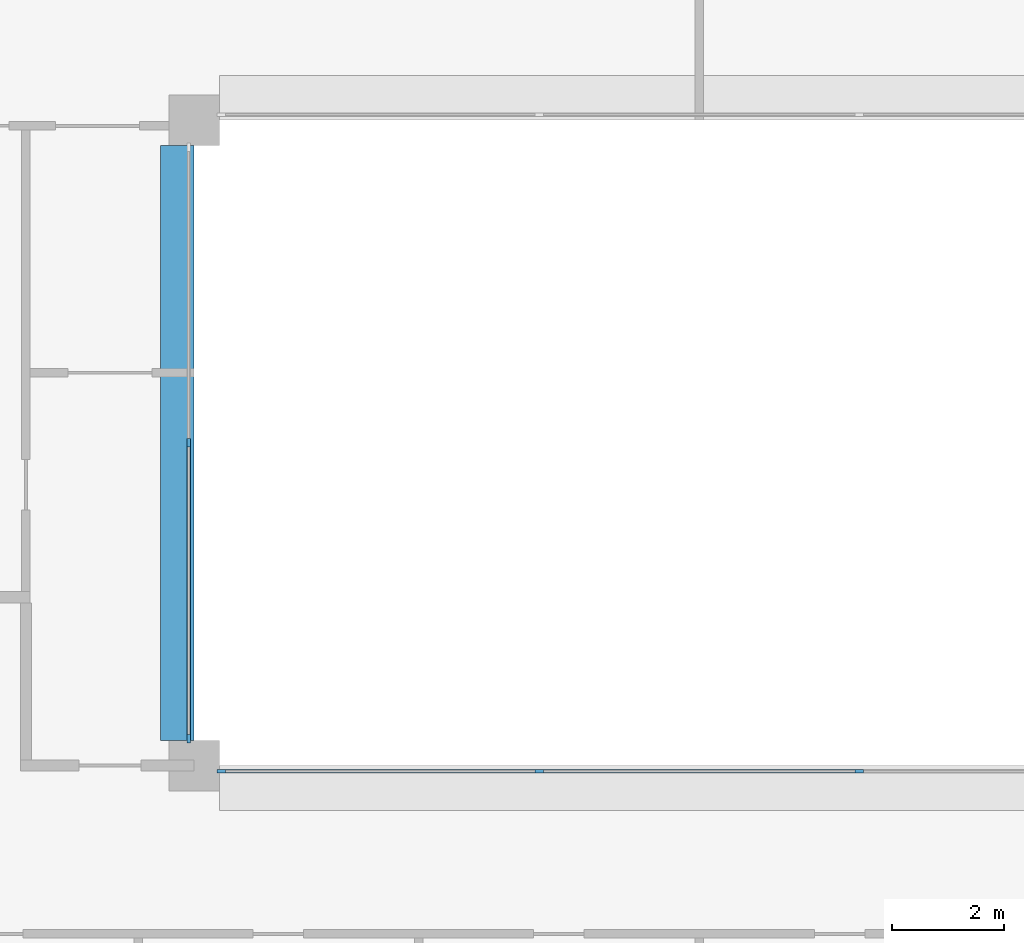
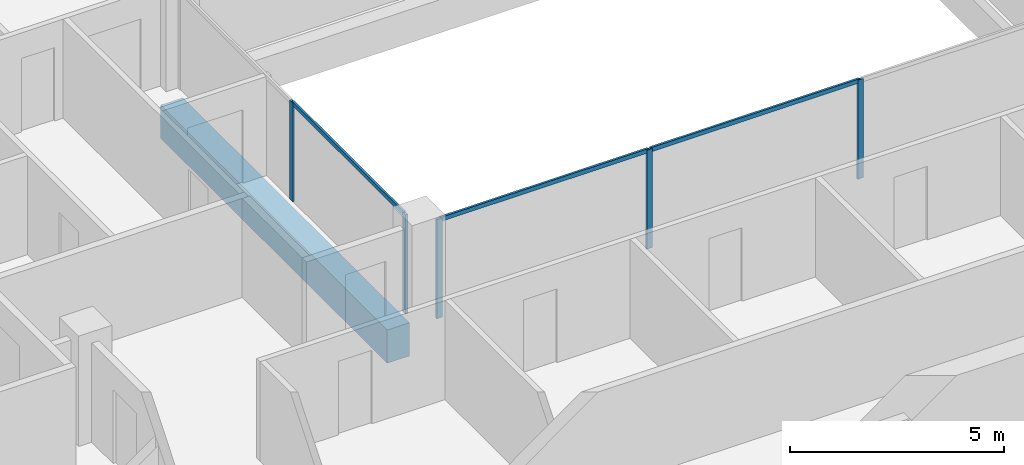
# One storey, part 2 of 15: 8 members, 1 beam, 2 elements without a shape of their own.
"""IFC4 building model written with IfcOpenShell, lengths in metres."""

from ifc_helpers import new_model, si_unit, direction, frame, origin, origin_2d, place, context, subcontext, project, spatial, rectangle, extrude, material, layer, layer_set, material_profile, profile_set, type_object, element, aggregate, save


model = new_model("IFC4")

# Units and contexts
model_context = context("Model", 3, precision=1e-05, world=origin(), true_north=direction((0.0, 1.0)))
body_context = subcontext(model_context, "Body", "Model", "MODEL_VIEW")
ifc_project = project(units=[si_unit("LENGTHUNIT", "METRE"), si_unit("AREAUNIT", "SQUARE_METRE"), si_unit("VOLUMEUNIT", "CUBIC_METRE"), si_unit("PLANEANGLEUNIT", "RADIAN"), si_unit("MASSUNIT", "GRAM", prefix="KILO")], contexts=[model_context])

# Site, building, storey
site_placement = place(None, origin())
site = spatial("IfcSite", under=ifc_project, at=site_placement, CompositionType="ELEMENT")
building_placement = place(site_placement, origin())
building = spatial("IfcBuilding", under=site, at=building_placement, Name="Brigalow Station Residences", CompositionType="ELEMENT")
storey_placement = place(building_placement, frame((0.0, 0.0, 213.75)))
storey = spatial("IfcBuildingStorey", under=building, at=storey_placement, Name="L61", CompositionType="ELEMENT", Elevation=213.75)

# Beam
ifc_material_1 = material(Name="Concrete C65", Category="concrete")
ifc_material_profile_1 = material_profile(ifc_material_1, rectangle(XDim=0.60009765625, YDim=0.949951171875, at=origin_2d()), Name="RC600x950")
ifc_profile_set_1 = profile_set([ifc_material_profile_1], Name="Concrete C65")
beam_type = type_object("IfcBeamType", Name="ATRIUM EDGE GIRDER 600x950 C65", PredefinedType="BEAM", material=ifc_profile_set_1)
beam_placement = place(storey_placement, frame((26.699951171875, 24.449951171875, -0.794921875), z_axis=(0.0, 1.0, 0.0), x_axis=(-1.0, 0.0, 0.0)))
element("IfcBeam", 1, at=beam_placement, inside=storey, type_object=beam_type, Name="ATRIUM EDGE GIRDER 3 L61", PredefinedType="BEAM", context=body_context, shape_type="SweptSolid", body=[
    extrude(rectangle(XDim=0.60009765625, YDim=0.949951171875, at=origin_2d()), origin(), (0.0, 0.0, 1.0), 10.60009765625),
])

# Curtain wall, members
ifc_material_2 = material(Name="Aluminium", Category="aluminium")
ifc_layer = layer(ifc_material_2, 0.14990234375)
ifc_layer_set = layer_set([ifc_layer], Name="ATRIUM FIRE-RATED GLAZING CURTAIN WALL")
curtain_wall_type = type_object("IfcCurtainWallType", Name="ATRIUM FIRE-RATED GLAZING CURTAIN WALL", PredefinedType="NOTDEFINED", material=ifc_layer_set)
curtain_wall_1_placement = place(storey_placement, origin())
curtain_wall_1 = element("IfcCurtainWall", 2, at=curtain_wall_1_placement, inside=storey, type_object=curtain_wall_type, Name="L61/cw/atrium-S", PredefinedType="NOTDEFINED")
ifc_material_3 = material(Name="Aluminium", Category="aluminium")
ifc_material_profile_2 = material_profile(ifc_material_3, rectangle(XDim=0.06005859375, YDim=0.14990234375, at=origin_2d()), Name="ATRIUM FIRE-RATED GLAZING MULLION 60x150")
ifc_profile_set_2 = profile_set([ifc_material_profile_2], Name="Aluminium")
member_type_1 = type_object("IfcMemberType", Name="ATRIUM FIRE-RATED GLAZING MULLION 60x150", PredefinedType="MULLION", material=ifc_profile_set_2)
member_1_placement = place(storey_placement, frame((27.47998046875, 23.89990234375, 0.0), z_axis=(0.0, 0.0, 1.0), x_axis=(0.0, 1.0, 0.0)))
member_1 = element("IfcMember", 3, at=member_1_placement, type_object=member_type_1, Name="L61/cw/atrium-S/M00", PredefinedType="MULLION", context=body_context, shape_type="SweptSolid", body=[
    extrude(rectangle(XDim=0.06005859375, YDim=0.14990234375, at=origin_2d()), origin(), (0.0, 0.0, 1.0), 2.830078125),
])
member_2_placement = place(storey_placement, frame((33.14990234375, 23.89990234375, 0.0), z_axis=(0.0, 0.0, 1.0), x_axis=(0.0, 1.0, 0.0)))
member_2 = element("IfcMember", 4, at=member_2_placement, type_object=member_type_1, Name="L61/cw/atrium-S/M01", PredefinedType="MULLION", context=body_context, shape_type="SweptSolid", body=[
    extrude(rectangle(XDim=0.06005859375, YDim=0.14990234375, at=origin_2d()), origin(), (0.0, 0.0, 1.0), 2.830078125),
])
member_3_placement = place(storey_placement, frame((38.85009765625, 23.89990234375, 0.0), z_axis=(0.0, 0.0, 1.0), x_axis=(0.0, 1.0, 0.0)))
member_3 = element("IfcMember", 5, at=member_3_placement, type_object=member_type_1, Name="L61/cw/atrium-S/M02", PredefinedType="MULLION", context=body_context, shape_type="SweptSolid", body=[
    extrude(rectangle(XDim=0.06005859375, YDim=0.14990234375, at=origin_2d()), origin(), (0.0, 0.0, 1.0), 2.830078125),
])

curtain_wall_2_placement = place(storey_placement, origin())
curtain_wall_2 = element("IfcCurtainWall", 6, at=curtain_wall_2_placement, inside=storey, type_object=curtain_wall_type, Name="L61/cw/atrium-W", PredefinedType="NOTDEFINED")
member_4_placement = place(storey_placement, frame((26.89990234375, 29.75, 0.0), z_axis=(0.0, 0.0, 1.0), x_axis=(1.0, 0.0, 0.0)))
member_4 = element("IfcMember", 7, at=member_4_placement, type_object=member_type_1, Name="L61/cw/atrium-W/M01", PredefinedType="MULLION", context=body_context, shape_type="SweptSolid", body=[
    extrude(rectangle(XDim=0.06005859375, YDim=0.14990234375, at=origin_2d()), origin(), (0.0, 0.0, 1.0), 2.830078125),
])
member_5_placement = place(storey_placement, frame((26.89990234375, 24.47998046875, 0.0), z_axis=(0.0, 0.0, 1.0), x_axis=(1.0, 0.0, 0.0)))
member_5 = element("IfcMember", 8, at=member_5_placement, type_object=member_type_1, Name="L61/cw/atrium-W/M02", PredefinedType="MULLION", context=body_context, shape_type="SweptSolid", body=[
    extrude(rectangle(XDim=0.06005859375, YDim=0.14990234375, at=origin_2d()), origin(), (0.0, 0.0, 1.0), 2.830078125),
])

# Member
ifc_material_4 = material(Name="Aluminium", Category="aluminium")
ifc_material_profile_3 = material_profile(ifc_material_4, rectangle(XDim=0.06005859375, YDim=0.1201171875, at=origin_2d()), Name="ATRIUM FIRE-RATED GLAZING TRANSOM 60x120")
ifc_profile_set_3 = profile_set([ifc_material_profile_3], Name="Aluminium")
member_type_2 = type_object("IfcMemberType", Name="ATRIUM FIRE-RATED GLAZING TRANSOM 60x120", PredefinedType="USERDEFINED", material=ifc_profile_set_3)
member_6_placement = place(storey_placement, frame((27.510009765625, 23.89990234375, 2.800048828125), z_axis=(1.0, 0.0, 0.0), x_axis=(0.0, 1.0, 0.0)))
member_6 = element("IfcMember", 9, at=member_6_placement, type_object=member_type_2, Name="L61/cw/atrium-S/T00-00", ObjectType="TRANSOM", PredefinedType="USERDEFINED", context=body_context, shape_type="SweptSolid", body=[
    extrude(rectangle(XDim=0.06005859375, YDim=0.1201171875, at=origin_2d()), origin(), (0.0, 0.0, 1.0), 5.610107421875),
])

member_7_placement = place(storey_placement, frame((33.179931640625, 23.89990234375, 2.800048828125), z_axis=(1.0, 0.0, 0.0), x_axis=(0.0, 1.0, 0.0)))
member_7 = element("IfcMember", 10, at=member_7_placement, type_object=member_type_2, Name="L61/cw/atrium-S/T01-00", ObjectType="TRANSOM", PredefinedType="USERDEFINED", context=body_context, shape_type="SweptSolid", body=[
    extrude(rectangle(XDim=0.06005859375, YDim=0.1201171875, at=origin_2d()), origin(), (0.0, 0.0, 1.0), 5.64013671875),
])

aggregate(curtain_wall_1, [member_1, member_2, member_3, member_6, member_7])

member_8_placement = place(storey_placement, frame((26.89990234375, 29.719970703125, 2.800048828125), z_axis=(0.0, -1.0, 0.0), x_axis=(1.0, 0.0, 0.0)))
member_8 = element("IfcMember", 11, at=member_8_placement, type_object=member_type_2, Name="L61/cw/atrium-W/T01-00", ObjectType="TRANSOM", PredefinedType="USERDEFINED", context=body_context, shape_type="SweptSolid", body=[
    extrude(rectangle(XDim=0.06005859375, YDim=0.1201171875, at=origin_2d()), origin(), (0.0, 0.0, 1.0), 5.2099609375),
])

aggregate(curtain_wall_2, [member_4, member_5, member_8])

save(model, "model.ifc")
